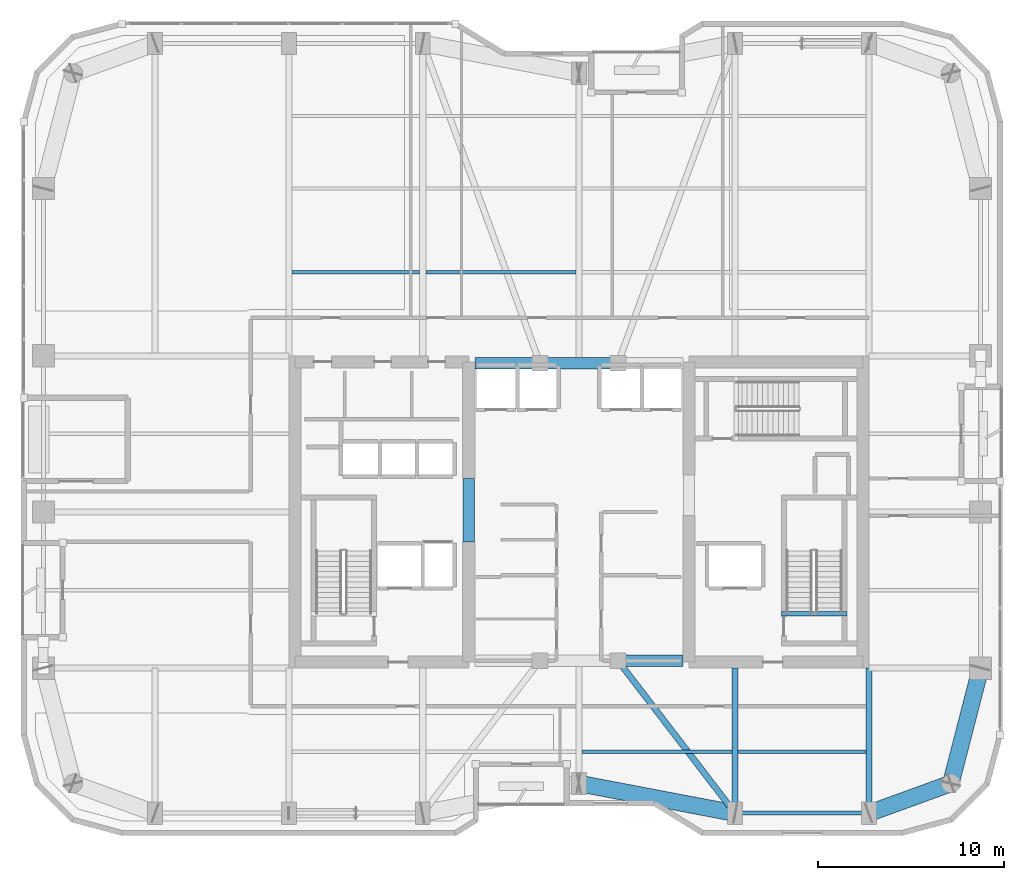
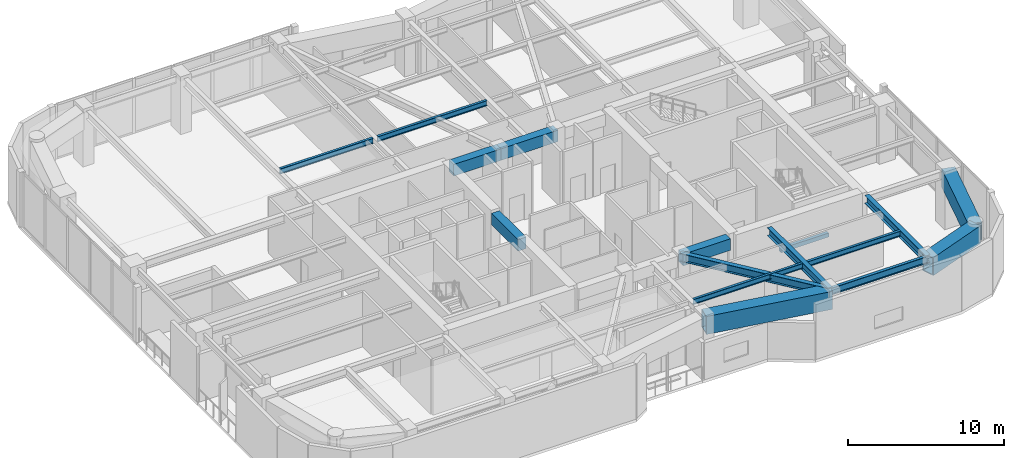
# One storey, part 3 of 21: 16 beams.
"""IFC4 building model written with IfcOpenShell, lengths in metres."""

from ifc_helpers import new_model, si_unit, direction, frame, origin, origin_2d, place, context, subcontext, project, spatial, rectangle, hollow_rectangle, i_section, extrude, material, material_profile, profile_set, type_object, element, save


model = new_model("IFC4")

# Units and contexts
model_context = context("Model", 3, precision=1e-05, world=origin(), true_north=direction((0.0, 1.0)))
body_context = subcontext(model_context, "Body", "Model", "MODEL_VIEW")
ifc_project = project(units=[si_unit("LENGTHUNIT", "METRE"), si_unit("AREAUNIT", "SQUARE_METRE"), si_unit("VOLUMEUNIT", "CUBIC_METRE"), si_unit("PLANEANGLEUNIT", "RADIAN"), si_unit("MASSUNIT", "GRAM", prefix="KILO")], contexts=[model_context])

# Site, building, storey
site_placement = place(None, origin())
site = spatial("IfcSite", under=ifc_project, at=site_placement, CompositionType="ELEMENT")
building_placement = place(site_placement, origin())
building = spatial("IfcBuilding", under=site, at=building_placement, Name="Kiyonajd Concourse Tower", CompositionType="ELEMENT")
storey_placement = place(building_placement, frame((0.0, 0.0, 181.800048828125)))
storey = spatial("IfcBuildingStorey", under=building, at=storey_placement, Name="L46", CompositionType="ELEMENT", Elevation=181.800048828125)

# Beams
ifc_material_1 = material(Name="Concrete C60/75", Category="concrete")
ifc_material_profile_1 = material_profile(ifc_material_1, rectangle(XDim=0.60009765625, YDim=0.89990234375, at=origin_2d()), Name="RCBM-600x900")
ifc_profile_set_1 = profile_set([ifc_material_profile_1], Name="Concrete C60/75")
beam_type_1 = type_object("IfcBeamType", Name="BM-COUP-900", PredefinedType="LINTEL", material=ifc_profile_set_1)
for number, where, z_axis, x_axis, name in (
    (1, (50.10009765625, 28.0, 3.829833984375), (1.0, 0.0, 0.0), (0.0, 1.0, 0.0), "L46 Core Coupling Beam S3"),
    (2, (42.39990234375, 44.0, 3.829833984375), (1.0, 0.0, 0.0), (0.0, 1.0, 0.0), "L46 Core Coupling Beam N1"),
):
    element("IfcBeam", number, at=place(storey_placement, frame(where, z_axis=z_axis, x_axis=x_axis)), inside=storey, type_object=beam_type_1, Name=name, PredefinedType="LINTEL", context=body_context, shape_type="SweptSolid", body=[
        extrude(rectangle(XDim=0.60009765625, YDim=0.89990234375, at=origin_2d()), origin(), (0.0, 0.0, 1.0), 3.5),
    ])
beam_1_placement = place(storey_placement, frame((45.89990234375, 44.0, 3.829833984375), z_axis=(1.0, 0.0, 0.0), x_axis=(0.0, 1.0, 0.0)))
element("IfcBeam", 3, at=beam_1_placement, inside=storey, type_object=beam_type_1, Name="L46 Core Coupling Beam N2", PredefinedType="LINTEL", context=body_context, shape_type="SweptSolid", body=[
    extrude(rectangle(XDim=0.60009765625, YDim=0.89990234375, at=origin_2d()), origin(), (0.0, 0.0, 1.0), 4.2001953125),
])
beam_2_placement = place(storey_placement, frame((42.074951171875, 34.39990234375, 3.829833984375), z_axis=(0.0, 1.0, 0.0), x_axis=(-1.0, 0.0, 0.0)))
element("IfcBeam", 4, at=beam_2_placement, inside=storey, type_object=beam_type_1, Name="L46 West Core Throat Coupling Lintel", PredefinedType="LINTEL", context=body_context, shape_type="SweptSolid", body=[
    extrude(rectangle(XDim=0.60009765625, YDim=0.89990234375, at=origin_2d()), origin(), (0.0, 0.0, 1.0), 3.400146484375),
])
ifc_material_2 = material(Name="Steel ASTM A992 Grade 50", Category="steel")
ifc_material_profile_2 = material_profile(ifc_material_2, i_section(OverallWidth=0.180908203125, OverallDepth=0.4169921875, WebThickness=0.010986328125, FlangeThickness=0.018310546875, at=origin_2d()), Name="W410X85")
ifc_profile_set_2 = profile_set([ifc_material_profile_2], Name="Steel ASTM A992 Grade 50")
beam_type_2 = type_object("IfcBeamType", Name="BM-JST-410", PredefinedType="JOIST", material=ifc_profile_set_2)
beam_3_placement = place(storey_placement, frame((48.16357421875, 23.10009765625, 4.071533203125), z_axis=(1.0, 0.0, 0.0), x_axis=(0.0, 1.0, 0.0)))
element("IfcBeam", 5, at=beam_3_placement, inside=storey, type_object=beam_type_2, Name="L46 Secondary Floor Joist", PredefinedType="JOIST", context=body_context, shape_type="SweptSolid", body=[
    extrude(i_section(OverallWidth=0.180908203125, OverallDepth=0.4169921875, WebThickness=0.010986328125, FlangeThickness=0.018310546875, at=origin_2d()), origin(), (0.0, 0.0, 1.0), 8.072998046875),
])
for number, where, z_axis, x_axis, name in (
    (6, (56.5634765625, 23.10009765625, 4.071533203125), (1.0, 0.0, 0.0), (0.0, 1.0, 0.0), "L46 Secondary Floor Joist"),
    (7, (32.5634765625, 48.89990234375, 4.071533203125), (1.0, 0.0, 0.0), (0.0, 1.0, 0.0), "L46 Secondary Floor Joist"),
):
    element("IfcBeam", number, at=place(storey_placement, frame(where, z_axis=z_axis, x_axis=x_axis)), inside=storey, type_object=beam_type_2, Name=name, PredefinedType="JOIST", context=body_context, shape_type="SweptSolid", body=[
        extrude(i_section(OverallWidth=0.180908203125, OverallDepth=0.4169921875, WebThickness=0.010986328125, FlangeThickness=0.018310546875, at=origin_2d()), origin(), (0.0, 0.0, 1.0), 6.873046875),
    ])
beam_4_placement = place(storey_placement, frame((39.763427734375, 48.89990234375, 4.071533203125), z_axis=(1.0, 0.0, 0.0), x_axis=(0.0, 1.0, 0.0)))
element("IfcBeam", 8, at=beam_4_placement, inside=storey, type_object=beam_type_2, Name="L46 Secondary Floor Joist", PredefinedType="JOIST", context=body_context, shape_type="SweptSolid", body=[
    extrude(i_section(OverallWidth=0.180908203125, OverallDepth=0.4169921875, WebThickness=0.010986328125, FlangeThickness=0.018310546875, at=origin_2d()), origin(), (0.0, 0.0, 1.0), 8.072998046875),
])
ifc_material_3 = material(Name="Concrete C50/60", Category="concrete")
ifc_material_profile_3 = material_profile(ifc_material_3, rectangle(XDim=0.239990234375, YDim=0.320068359375, at=origin_2d()), Name="RCBM-240x320")
ifc_profile_set_3 = profile_set([ifc_material_profile_3], Name="Concrete C50/60")
beam_type_3 = type_object("IfcBeamType", Name="BM-LNT-250", PredefinedType="LINTEL", material=ifc_profile_set_3)
beam_5_placement = place(storey_placement, frame((58.889892578125, 30.530029296875, -0.16015625), z_axis=(1.0, 0.0, 0.0), x_axis=(0.0, 1.0, 0.0)))
element("IfcBeam", 9, at=beam_5_placement, inside=storey, type_object=beam_type_3, Name="L46 Stair ST2 Threshold Support Beam", PredefinedType="LINTEL", context=body_context, shape_type="SweptSolid", body=[
    extrude(rectangle(XDim=0.239990234375, YDim=0.320068359375, at=origin_2d()), origin(), (0.0, 0.0, 1.0), 3.52001953125),
])
ifc_material_profile_4 = material_profile(ifc_material_2, i_section(OverallWidth=0.214111328125, OverallDepth=0.549072265625, WebThickness=0.0146484375, FlangeThickness=0.023681640625, at=origin_2d()), Name="W530X138")
ifc_profile_set_4 = profile_set([ifc_material_profile_4], Name="Steel ASTM A992 Grade 50")
beam_type_4 = type_object("IfcBeamType", Name="BM-SPAN-530A", PredefinedType="SPANDREL", material=ifc_profile_set_4)
beam_6_placement = place(storey_placement, frame((56.39990234375, 19.800048828125, 4.00537109375), z_axis=(1.0, 0.0, 0.0), x_axis=(0.0, 1.0, 0.0)))
element("IfcBeam", 10, at=beam_6_placement, inside=storey, type_object=beam_type_4, Name="L46 Perimeter Bundled Tube Spandrel", PredefinedType="SPANDREL", context=body_context, shape_type="SweptSolid", body=[
    extrude(i_section(OverallWidth=0.214111328125, OverallDepth=0.549072265625, WebThickness=0.0146484375, FlangeThickness=0.023681640625, at=origin_2d()), origin(), (0.0, 0.0, 1.0), 7.2001953125),
])
ifc_material_profile_5 = material_profile(ifc_material_2, i_section(OverallWidth=0.326904296875, OverallDepth=0.6220703125, WebThickness=0.015380859375, FlangeThickness=0.0244140625, at=origin_2d()), Name="W610X195")
ifc_profile_set_5 = profile_set([ifc_material_profile_5], Name="Steel ASTM A992 Grade 50")
beam_type_5 = type_object("IfcBeamType", Name="BM-TWR-610A", PredefinedType="BEAM", material=ifc_profile_set_5)
beam_7_placement = place(storey_placement, frame((50.10009765625, 28.0, 3.968994140625), z_axis=(0.609233709922, -0.792990722956, 0.0), x_axis=(0.792990722956, 0.609233709922, 0.0)))
element("IfcBeam", 11, at=beam_7_placement, inside=storey, type_object=beam_type_5, Name="L46 Core Tie Girder", PredefinedType="BEAM", context=body_context, shape_type="SweptSolid", body=[
    extrude(i_section(OverallWidth=0.326904296875, OverallDepth=0.6220703125, WebThickness=0.015380859375, FlangeThickness=0.0244140625, at=origin_2d()), origin(), (0.0, 0.0, 1.0), 10.340576171875),
])
for number, where, z_axis, x_axis, name in (
    (12, (56.39990234375, 19.800048828125, 3.968994140625), (0.0, 1.0, 0.0), (-1.0, 0.0, 0.0), "L46 South Lease Girder"),
    (13, (63.60009765625, 19.800048828125, 3.968994140625), (0.0, 1.0, 0.0), (-1.0, 0.0, 0.0), "L46 South Lease Girder"),
):
    element("IfcBeam", number, at=place(storey_placement, frame(where, z_axis=z_axis, x_axis=x_axis)), inside=storey, type_object=beam_type_5, Name=name, PredefinedType="BEAM", context=body_context, shape_type="SweptSolid", body=[
        extrude(i_section(OverallWidth=0.326904296875, OverallDepth=0.6220703125, WebThickness=0.015380859375, FlangeThickness=0.0244140625, at=origin_2d()), origin(), (0.0, 0.0, 1.0), 7.800048828125),
    ])
ifc_material_4 = material(Name="Steel ASTM A572 Grade 50", Category="steel")
ifc_material_profile_6 = material_profile(ifc_material_4, hollow_rectangle(XDim=0.89990234375, YDim=1.39990234375, WallThickness=0.070068359375, at=origin_2d()), Name="BOX-1400x900x70")
ifc_profile_set_6 = profile_set([ifc_material_profile_6], Name="Steel ASTM A572 Grade 50")
beam_type_6 = type_object("IfcBeamType", Name="BM-XFER-1400", PredefinedType="BEAM", material=ifc_profile_set_6)
beam_8_placement = place(storey_placement, frame((48.0, 21.39990234375, 3.579833984375), z_axis=(0.982341315253, -0.187097675953, 0.0), x_axis=(0.187097675953, 0.982341315253, 0.0)))
element("IfcBeam", 14, at=beam_8_placement, inside=storey, type_object=beam_type_6, Name="L46 Perimeter Bundled Tube Spandrel", PredefinedType="BEAM", context=body_context, shape_type="SweptSolid", body=[
    extrude(hollow_rectangle(XDim=0.89990234375, YDim=1.39990234375, WallThickness=0.070068359375, at=origin_2d()), origin(), (0.0, 0.0, 1.0), 8.55078125),
])
beam_9_placement = place(storey_placement, frame((63.60009765625, 19.800048828125, 3.579833984375), z_axis=(0.939801036019, 0.341722127901, 0.0), x_axis=(-0.341722127901, 0.939801036019, 0.0)))
element("IfcBeam", 15, at=beam_9_placement, inside=storey, type_object=beam_type_6, Name="L46 Perimeter Bundled Tube Spandrel", PredefinedType="BEAM", context=body_context, shape_type="SweptSolid", body=[
    extrude(hollow_rectangle(XDim=0.89990234375, YDim=1.39990234375, WallThickness=0.070068359375, at=origin_2d()), origin(), (0.0, 0.0, 1.0), 4.681640625),
])
beam_10_placement = place(storey_placement, frame((68.0, 21.39990234375, 3.579833984375), z_axis=(0.249884937687, 0.968275538221, 0.0), x_axis=(-0.968275538221, 0.249884937687, 0.0)))
element("IfcBeam", 16, at=beam_10_placement, inside=storey, type_object=beam_type_6, Name="L46 Perimeter Bundled Tube Spandrel", PredefinedType="BEAM", context=body_context, shape_type="SweptSolid", body=[
    extrude(hollow_rectangle(XDim=0.89990234375, YDim=1.39990234375, WallThickness=0.070068359375, at=origin_2d()), origin(), (0.0, 0.0, 1.0), 6.4033203125),
])

save(model, "model.ifc")
